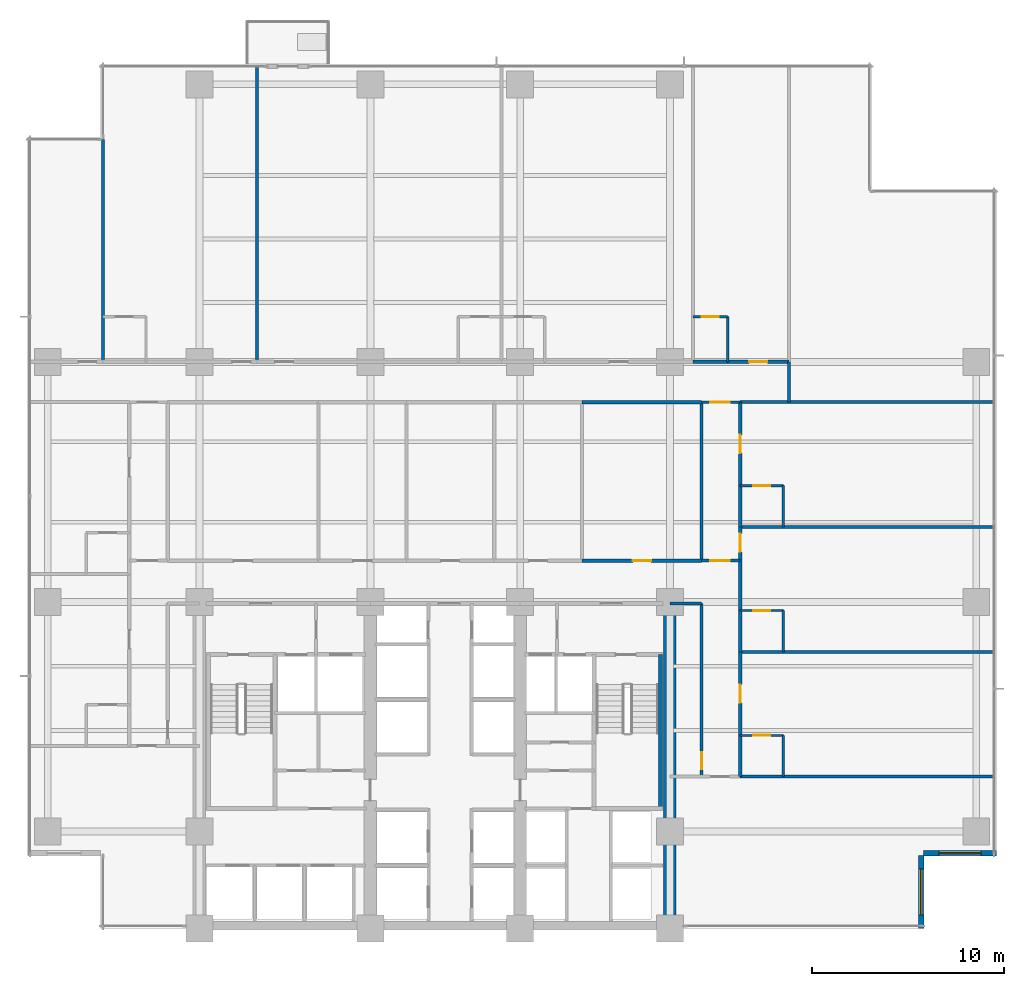
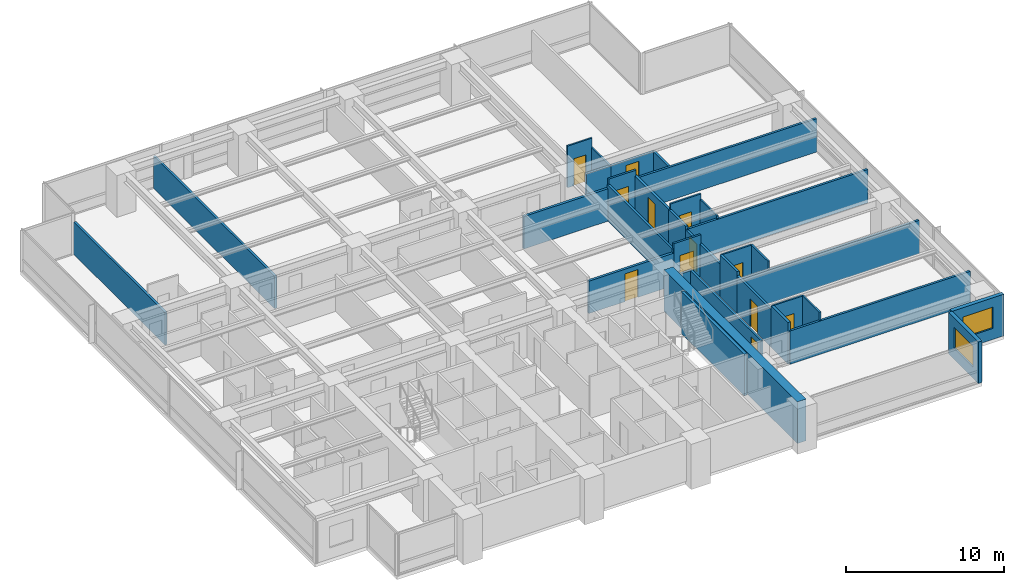
# One storey, part 10 of 16: 34 walls, 12 doors, 2 windows, 14 openings.
"""IFC4 building model written with IfcOpenShell, lengths in metres."""

from ifc_helpers import new_model, si_unit, direction, frame, frame_2d, origin, place, context, subcontext, project, spatial, rectangle, extrude, material, layer, layer_set, type_object, element, fill, save


model = new_model("IFC4")

# Units and contexts
model_context = context("Model", 3, precision=1e-05, world=origin(), true_north=direction((0.0, 1.0)))
body_context = subcontext(model_context, "Body", "Model", "MODEL_VIEW")
ifc_project = project(units=[si_unit("LENGTHUNIT", "METRE"), si_unit("AREAUNIT", "SQUARE_METRE"), si_unit("VOLUMEUNIT", "CUBIC_METRE"), si_unit("PLANEANGLEUNIT", "RADIAN"), si_unit("MASSUNIT", "GRAM", prefix="KILO")], contexts=[model_context])

# Site, building, storey
site_placement = place(None, origin())
site = spatial("IfcSite", under=ifc_project, at=site_placement, CompositionType="ELEMENT")
building_placement = place(site_placement, origin())
building = spatial("IfcBuilding", under=site, at=building_placement, Name="Qalmaran Belvedere Hotel", CompositionType="ELEMENT")
storey_placement = place(building_placement, frame((0.0, 0.0, 43.89990234375)))
storey = spatial("IfcBuildingStorey", under=building, at=storey_placement, Name="L10", CompositionType="ELEMENT", Elevation=43.89990234375)

# Wall
ifc_material_1 = material(Name="Concrete C60/75", Category="concrete")
ifc_layer_1 = layer(ifc_material_1, 0.64990234375, Name="Concrete C60/75")
ifc_layer_set_1 = layer_set([ifc_layer_1], Name="Concrete C60/75")
wall_type_1 = type_object("IfcWallType", Name="WL-CORE-650-C60", PredefinedType="SHEAR", material=ifc_layer_set_1)
wall_1_placement = place(storey_placement, frame((44.800048828125, 3.5, 0.0), z_axis=(0.0, 0.0, 1.0), x_axis=(0.0, 1.0, 0.0)))
element("IfcWall", 1, at=wall_1_placement, inside=storey, type_object=wall_type_1, Name="L10 East Core Shear Wall", PredefinedType="SHEAR", context=body_context, shape_type="SweptSolid", body=[
    extrude(rectangle(XDim=16.89990234375, YDim=0.64990234375, at=frame_2d((8.449951171875, 0.0))), origin(), (0.0, 0.0, 1.0), 3.22021484375),
])

# Wall, opening, window
ifc_material_2 = material(Name="Anodised Bronze Cladding")
ifc_layer_2 = layer(ifc_material_2, 0.280029296875, Name="Anodised Bronze Cladding")
ifc_layer_set_2 = layer_set([ifc_layer_2], Name="Anodised Bronze Cladding")
wall_type_2 = type_object("IfcWallType", Name="WL-EXT-BRNZ-280", PredefinedType="SOLIDWALL", material=ifc_layer_set_2)
wall_2_placement = place(storey_placement, frame((57.8798828125, 3.5, 0.0), z_axis=(0.0, 0.0, 1.0), x_axis=(0.0, 1.0, 0.0)))
wall_2 = element("IfcWall", 2, at=wall_2_placement, inside=storey, type_object=wall_type_2, Name="L10 Corner Notch Wall 1", PredefinedType="SOLIDWALL", context=body_context, shape_type="SweptSolid", body=[
    extrude(rectangle(XDim=3.800048828125, YDim=0.280029296875, at=frame_2d((1.89990234375, 0.0))), origin(), (0.0, 0.0, 1.0), 3.22021484375),
])
opening_1_placement = place(wall_2_placement, frame((0.699951171875, 0.0, 0.85009765625)))
opening_1 = element("IfcOpeningElement", 3, at=opening_1_placement, cuts=wall_2, Name="Opening W-N24", PredefinedType="OPENING", context=body_context, shape_type="SweptSolid", body=[
    extrude(rectangle(XDim=2.39990234375, YDim=1.64990234375, at=frame_2d((1.199951171875, 0.824951171875))), frame((0.0, 0.14990234375, 0.0), z_axis=(0.0, -1.0, 0.0), x_axis=(1.0, 0.0, 0.0)), (0.0, 0.0, 1.0), 0.300048828125),
])
ifc_material_3 = material(Name="Solar-Control Double Glazing", Category="glass")
window_type_1 = type_object("IfcWindowType", Name="WN-NTC-2400X1650", PartitioningType="SINGLE_PANEL", PredefinedType="WINDOW", material=ifc_material_3)
window_1_placement = place(opening_1_placement, origin())
window_1 = element("IfcWindow", 4, at=window_1_placement, inside=storey, type_object=window_type_1, Name="L10 Corner Notch Window 1", OverallHeight=1.64990234375, OverallWidth=2.39990234375, PartitioningType="SINGLE_PANEL", PredefinedType="WINDOW", context=body_context, shape_type="SweptSolid", body=[
    extrude(rectangle(XDim=2.39990234375, YDim=1.64990234375, at=frame_2d((1.199951171875, 0.824951171875))), frame((0.0, 0.030029296875, 0.0), z_axis=(0.0, -1.0, 0.0), x_axis=(1.0, 0.0, 0.0)), (0.0, 0.0, 1.0), 0.06005859375),
])
fill(opening_1, window_1)

wall_3_placement = place(storey_placement, frame((58.0, 7.419921875, 0.0), z_axis=(0.0, 0.0, 1.0), x_axis=(1.0, 0.0, 0.0)))
wall_3 = element("IfcWall", 5, at=wall_3_placement, inside=storey, type_object=wall_type_2, Name="L10 Corner Notch Wall 2", PredefinedType="SOLIDWALL", context=body_context, shape_type="SweptSolid", body=[
    extrude(rectangle(XDim=3.800048828125, YDim=0.280029296875, at=frame_2d((1.89990234375, 0.0))), origin(), (0.0, 0.0, 1.0), 3.22021484375),
])
opening_2_placement = place(wall_3_placement, frame((0.800048828125, 0.0, 0.85009765625)))
opening_2 = element("IfcOpeningElement", 6, at=opening_2_placement, cuts=wall_3, Name="Opening W-N22", PredefinedType="OPENING", context=body_context, shape_type="SweptSolid", body=[
    extrude(rectangle(XDim=2.199951171875, YDim=1.64990234375, at=frame_2d((1.10009765625, 0.824951171875))), frame((0.0, 0.14990234375, 0.0), z_axis=(0.0, -1.0, 0.0), x_axis=(1.0, 0.0, 0.0)), (0.0, 0.0, 1.0), 0.300048828125),
])
window_type_2 = type_object("IfcWindowType", Name="WN-NTC-2200X1650", PartitioningType="SINGLE_PANEL", PredefinedType="WINDOW", material=ifc_material_3)
window_2_placement = place(opening_2_placement, origin())
window_2 = element("IfcWindow", 7, at=window_2_placement, inside=storey, type_object=window_type_2, Name="L10 Corner Notch Window 2", OverallHeight=1.64990234375, OverallWidth=2.199951171875, PartitioningType="SINGLE_PANEL", PredefinedType="WINDOW", context=body_context, shape_type="SweptSolid", body=[
    extrude(rectangle(XDim=2.199951171875, YDim=1.64990234375, at=frame_2d((1.10009765625, 0.824951171875))), frame((0.0, 0.030029296875, 0.0), z_axis=(0.0, -1.0, 0.0), x_axis=(1.0, 0.0, 0.0)), (0.0, 0.0, 1.0), 0.06005859375),
])
fill(opening_2, window_2)

# Wall, opening, door
ifc_material_4 = material(Name="Moisture-Resistant Gypsum")
ifc_layer_3 = layer(ifc_material_4, 0.1201171875, Name="Moisture-Resistant Gypsum")
ifc_layer_set_3 = layer_set([ifc_layer_3], Name="Moisture-Resistant Gypsum")
wall_type_3 = type_object("IfcWallType", Name="WL-INT-120-BATH", PredefinedType="PARTITIONING", material=ifc_layer_set_3)
wall_4_placement = place(storey_placement, frame((46.000732421875, 35.35009765625, 0.0), z_axis=(0.0, 0.0, 1.0), x_axis=(1.0, 0.0, 0.0)))
wall_4 = element("IfcWall", 8, at=wall_4_placement, inside=storey, type_object=wall_type_3, Name="L10 Partition WL-L10-NBN03", PredefinedType="PARTITIONING", context=body_context, shape_type="SweptSolid", body=[
    extrude(rectangle(XDim=1.800048828125, YDim=0.1201171875, at=frame_2d((0.89990234375, 0.0))), origin(), (0.0, 0.0, 1.0), 3.22021484375),
])
opening_3_placement = place(wall_4_placement, frame((1.33984375, 0.0, 0.0), z_axis=(0.0, 0.0, 1.0), x_axis=(-1.0, 0.0, 0.0)))
opening_3 = element("IfcOpeningElement", 9, at=opening_3_placement, cuts=wall_4, Name="Opening D-BATH", PredefinedType="OPENING", context=body_context, shape_type="SweptSolid", body=[
    extrude(rectangle(XDim=0.8798828125, YDim=2.080078125, at=frame_2d((0.43994140625, 1.0400390625))), frame((0.0, 0.070068359375, 0.0), z_axis=(0.0, -1.0, 0.0), x_axis=(1.0, 0.0, 0.0)), (0.0, 0.0, 1.0), 0.14013671875),
])
ifc_material_5 = material(Name="Engineered Oak Veneer")
door_type_1 = type_object("IfcDoorType", Name="DR-INT-BATH-880X2080", OperationType="NOTDEFINED", PredefinedType="DOOR", material=ifc_material_5)
door_1_placement = place(opening_3_placement, origin())
door_1 = element("IfcDoor", 10, at=door_1_placement, inside=storey, type_object=door_type_1, Name="L10 Ensuite Bathroom Door N04", OperationType="SINGLE_SWING_LEFT", OverallHeight=2.080078125, OverallWidth=0.8798828125, PredefinedType="DOOR", context=body_context, shape_type="SweptSolid", body=[
    extrude(rectangle(XDim=0.8798828125, YDim=2.080078125, at=frame_2d((0.43994140625, 1.0400390625))), frame((0.0, 0.02490234375, 0.0), z_axis=(0.0, -1.0, 0.0), x_axis=(1.0, 0.0, 0.0)), (0.0, 0.0, 1.0), 0.050048828125),
])
fill(opening_3, door_1)

# Wall
wall_5_placement = place(storey_placement, frame((47.80078125, 33.0, 0.0), z_axis=(0.0, 0.0, 1.0), x_axis=(0.0, 1.0, 0.0)))
element("IfcWall", 11, at=wall_5_placement, inside=storey, type_object=wall_type_3, Name="L10 Partition WL-L10-NBS03", PredefinedType="PARTITIONING", context=body_context, shape_type="SweptSolid", body=[
    extrude(rectangle(XDim=2.35009765625, YDim=0.1201171875, at=frame_2d((1.175048828125, 0.0))), origin(), (0.0, 0.0, 1.0), 2.510009765625),
])

# Wall, opening, door
wall_6_placement = place(storey_placement, frame((48.449951171875, 13.550048828125, 0.0), z_axis=(0.0, 0.0, 1.0), x_axis=(1.0, 0.0, 0.0)))
wall_6 = element("IfcWall", 12, at=wall_6_placement, inside=storey, type_object=wall_type_3, Name="L10 Partition WL-L10-EBN00", PredefinedType="PARTITIONING", context=body_context, shape_type="SweptSolid", body=[
    extrude(rectangle(XDim=2.25, YDim=0.1201171875, at=frame_2d((1.125, 0.0))), origin(), (0.0, 0.0, 1.0), 3.22021484375),
])
opening_4_placement = place(wall_6_placement, frame((1.56494140625, 0.0, 0.0), z_axis=(0.0, 0.0, 1.0), x_axis=(-1.0, 0.0, 0.0)))
opening_4 = element("IfcOpeningElement", 13, at=opening_4_placement, cuts=wall_6, Name="Opening D-BATH", PredefinedType="OPENING", context=body_context, shape_type="SweptSolid", body=[
    extrude(rectangle(XDim=0.8798828125, YDim=2.080078125, at=frame_2d((0.43994140625, 1.0400390625))), frame((0.0, 0.070068359375, 0.0), z_axis=(0.0, -1.0, 0.0), x_axis=(1.0, 0.0, 0.0)), (0.0, 0.0, 1.0), 0.14013671875),
])
door_2_placement = place(opening_4_placement, origin())
door_2 = element("IfcDoor", 14, at=door_2_placement, inside=storey, type_object=door_type_1, Name="L10 E Ensuite Door 01", OperationType="SINGLE_SWING_LEFT", OverallHeight=2.080078125, OverallWidth=0.8798828125, PredefinedType="DOOR", context=body_context, shape_type="SweptSolid", body=[
    extrude(rectangle(XDim=0.8798828125, YDim=2.080078125, at=frame_2d((0.43994140625, 1.0400390625))), frame((0.0, 0.02490234375, 0.0), z_axis=(0.0, -1.0, 0.0), x_axis=(1.0, 0.0, 0.0)), (0.0, 0.0, 1.0), 0.050048828125),
])
fill(opening_4, door_2)

# Wall
wall_7_placement = place(storey_placement, frame((50.699951171875, 11.39990234375, 0.0), z_axis=(0.0, 0.0, 1.0), x_axis=(0.0, 1.0, 0.0)))
element("IfcWall", 15, at=wall_7_placement, inside=storey, type_object=wall_type_3, Name="L10 Partition WL-L10-EBS00", PredefinedType="PARTITIONING", context=body_context, shape_type="SweptSolid", body=[
    extrude(rectangle(XDim=2.150146484375, YDim=0.1201171875, at=frame_2d((1.0751953125, 0.0))), origin(), (0.0, 0.0, 1.0), 3.22021484375),
])

# Wall, opening, door
wall_8_placement = place(storey_placement, frame((48.449951171875, 20.050048828125, 0.0), z_axis=(0.0, 0.0, 1.0), x_axis=(1.0, 0.0, 0.0)))
wall_8 = element("IfcWall", 16, at=wall_8_placement, inside=storey, type_object=wall_type_3, Name="L10 Partition WL-L10-EBN01", PredefinedType="PARTITIONING", context=body_context, shape_type="SweptSolid", body=[
    extrude(rectangle(XDim=2.25, YDim=0.1201171875, at=frame_2d((1.125, 0.0))), origin(), (0.0, 0.0, 1.0), 3.22021484375),
])
opening_5_placement = place(wall_8_placement, frame((1.56494140625, 0.0, 0.0), z_axis=(0.0, 0.0, 1.0), x_axis=(-1.0, 0.0, 0.0)))
opening_5 = element("IfcOpeningElement", 17, at=opening_5_placement, cuts=wall_8, Name="Opening D-BATH", PredefinedType="OPENING", context=body_context, shape_type="SweptSolid", body=[
    extrude(rectangle(XDim=0.8798828125, YDim=2.080078125, at=frame_2d((0.43994140625, 1.0400390625))), frame((0.0, 0.070068359375, 0.0), z_axis=(0.0, -1.0, 0.0), x_axis=(1.0, 0.0, 0.0)), (0.0, 0.0, 1.0), 0.14013671875),
])
door_3_placement = place(opening_5_placement, origin())
door_3 = element("IfcDoor", 18, at=door_3_placement, inside=storey, type_object=door_type_1, Name="L10 E Ensuite Door 02", OperationType="SINGLE_SWING_LEFT", OverallHeight=2.080078125, OverallWidth=0.8798828125, PredefinedType="DOOR", context=body_context, shape_type="SweptSolid", body=[
    extrude(rectangle(XDim=0.8798828125, YDim=2.080078125, at=frame_2d((0.43994140625, 1.0400390625))), frame((0.0, 0.02490234375, 0.0), z_axis=(0.0, -1.0, 0.0), x_axis=(1.0, 0.0, 0.0)), (0.0, 0.0, 1.0), 0.050048828125),
])
fill(opening_5, door_3)

# Wall
wall_9_placement = place(storey_placement, frame((50.699951171875, 17.89990234375, 0.0), z_axis=(0.0, 0.0, 1.0), x_axis=(0.0, 1.0, 0.0)))
element("IfcWall", 19, at=wall_9_placement, inside=storey, type_object=wall_type_3, Name="L10 Partition WL-L10-EBS01", PredefinedType="PARTITIONING", context=body_context, shape_type="SweptSolid", body=[
    extrude(rectangle(XDim=2.150146484375, YDim=0.1201171875, at=frame_2d((1.0751953125, 0.0))), origin(), (0.0, 0.0, 1.0), 3.22021484375),
])

# Wall, opening, door
wall_10_placement = place(storey_placement, frame((48.449951171875, 26.550048828125, 0.0), z_axis=(0.0, 0.0, 1.0), x_axis=(1.0, 0.0, 0.0)))
wall_10 = element("IfcWall", 20, at=wall_10_placement, inside=storey, type_object=wall_type_3, Name="L10 Partition WL-L10-EBN02", PredefinedType="PARTITIONING", context=body_context, shape_type="SweptSolid", body=[
    extrude(rectangle(XDim=2.25, YDim=0.1201171875, at=frame_2d((1.125, 0.0))), origin(), (0.0, 0.0, 1.0), 3.22021484375),
])
opening_6_placement = place(wall_10_placement, frame((1.56494140625, 0.0, 0.0), z_axis=(0.0, 0.0, 1.0), x_axis=(-1.0, 0.0, 0.0)))
opening_6 = element("IfcOpeningElement", 21, at=opening_6_placement, cuts=wall_10, Name="Opening D-BATH", PredefinedType="OPENING", context=body_context, shape_type="SweptSolid", body=[
    extrude(rectangle(XDim=0.8798828125, YDim=2.080078125, at=frame_2d((0.43994140625, 1.0400390625))), frame((0.0, 0.070068359375, 0.0), z_axis=(0.0, -1.0, 0.0), x_axis=(1.0, 0.0, 0.0)), (0.0, 0.0, 1.0), 0.14013671875),
])
door_4_placement = place(opening_6_placement, origin())
door_4 = element("IfcDoor", 22, at=door_4_placement, inside=storey, type_object=door_type_1, Name="L10 E Ensuite Door 03", OperationType="SINGLE_SWING_LEFT", OverallHeight=2.080078125, OverallWidth=0.8798828125, PredefinedType="DOOR", context=body_context, shape_type="SweptSolid", body=[
    extrude(rectangle(XDim=0.8798828125, YDim=2.080078125, at=frame_2d((0.43994140625, 1.0400390625))), frame((0.0, 0.02490234375, 0.0), z_axis=(0.0, -1.0, 0.0), x_axis=(1.0, 0.0, 0.0)), (0.0, 0.0, 1.0), 0.050048828125),
])
fill(opening_6, door_4)

# Wall
wall_11_placement = place(storey_placement, frame((50.699951171875, 24.39990234375, 0.0), z_axis=(0.0, 0.0, 1.0), x_axis=(0.0, 1.0, 0.0)))
element("IfcWall", 23, at=wall_11_placement, inside=storey, type_object=wall_type_3, Name="L10 Partition WL-L10-EBS02", PredefinedType="PARTITIONING", context=body_context, shape_type="SweptSolid", body=[
    extrude(rectangle(XDim=2.150146484375, YDim=0.1201171875, at=frame_2d((1.0751953125, 0.0))), origin(), (0.0, 0.0, 1.0), 2.7880859375),
])

# Wall, opening, door
ifc_material_6 = material(Name="Gypsum Stud Partition")
ifc_layer_4 = layer(ifc_material_6, 0.14990234375, Name="Gypsum Stud Partition")
ifc_layer_set_4 = layer_set([ifc_layer_4], Name="Gypsum Stud Partition")
wall_type_4 = type_object("IfcWallType", Name="WL-INT-150-EI60", PredefinedType="PARTITIONING", material=ifc_layer_set_4)
wall_12_placement = place(storey_placement, frame((46.449951171875, 22.64990234375, 0.0), z_axis=(0.0, 0.0, 1.0), x_axis=(1.0, 0.0, 0.0)))
wall_12 = element("IfcWall", 24, at=wall_12_placement, inside=storey, type_object=wall_type_4, Name="L10 Partition WL-L10-XCE1", PredefinedType="PARTITIONING", context=body_context, shape_type="SweptSolid", body=[
    extrude(rectangle(XDim=2.0, YDim=0.14990234375, at=frame_2d((1.0, 0.0))), origin(), (0.0, 0.0, 1.0), 3.22021484375),
])
opening_7_placement = place(wall_12_placement, frame((0.449951171875, 0.0, 0.0)))
opening_7 = element("IfcOpeningElement", 25, at=opening_7_placement, cuts=wall_12, Name="Opening FD90B", PredefinedType="OPENING", context=body_context, shape_type="SweptSolid", body=[
    extrude(rectangle(XDim=1.0, YDim=2.14990234375, at=frame_2d((0.5, 1.074951171875))), frame((0.0, 0.0849609375, 0.0), z_axis=(0.0, -1.0, 0.0), x_axis=(1.0, 0.0, 0.0)), (0.0, 0.0, 1.0), 0.169921875),
])
ifc_material_7 = material(Name="Steel S355JR", Category="steel")
door_type_2 = type_object("IfcDoorType", Name="DR-FD90B-1000X2150", OperationType="NOTDEFINED", PredefinedType="DOOR", material=ifc_material_7)
door_5_placement = place(opening_7_placement, origin())
door_5 = element("IfcDoor", 26, at=door_5_placement, inside=storey, type_object=door_type_2, Name="L10 East Corridor Smoke Door S", OperationType="SINGLE_SWING_RIGHT", OverallHeight=2.14990234375, OverallWidth=1.0, PredefinedType="DOOR", context=body_context, shape_type="SweptSolid", body=[
    extrude(rectangle(XDim=1.0, YDim=2.14990234375, at=frame_2d((0.5, 1.074951171875))), frame((0.0, 0.02490234375, 0.0), z_axis=(0.0, -1.0, 0.0), x_axis=(1.0, 0.0, 0.0)), (0.0, 0.0, 1.0), 0.050048828125),
])
fill(opening_7, door_5)

wall_13_placement = place(storey_placement, frame((46.449951171875, 30.89990234375, 0.0), z_axis=(0.0, 0.0, 1.0), x_axis=(1.0, 0.0, 0.0)))
wall_13 = element("IfcWall", 27, at=wall_13_placement, inside=storey, type_object=wall_type_4, Name="L10 Partition WL-L10-XCE2", PredefinedType="PARTITIONING", context=body_context, shape_type="SweptSolid", body=[
    extrude(rectangle(XDim=2.0, YDim=0.14990234375, at=frame_2d((1.0, 0.0))), origin(), (0.0, 0.0, 1.0), 3.22021484375),
])
opening_8_placement = place(wall_13_placement, frame((0.449951171875, 0.0, 0.0)))
opening_8 = element("IfcOpeningElement", 28, at=opening_8_placement, cuts=wall_13, Name="Opening FD90B", PredefinedType="OPENING", context=body_context, shape_type="SweptSolid", body=[
    extrude(rectangle(XDim=1.0, YDim=2.14990234375, at=frame_2d((0.5, 1.074951171875))), frame((0.0, 0.0849609375, 0.0), z_axis=(0.0, -1.0, 0.0), x_axis=(1.0, 0.0, 0.0)), (0.0, 0.0, 1.0), 0.169921875),
])
door_6_placement = place(opening_8_placement, origin())
door_6 = element("IfcDoor", 29, at=door_6_placement, inside=storey, type_object=door_type_2, Name="L10 East Corridor Smoke Door N", OperationType="SINGLE_SWING_LEFT", OverallHeight=2.14990234375, OverallWidth=1.0, PredefinedType="DOOR", context=body_context, shape_type="SweptSolid", body=[
    extrude(rectangle(XDim=1.0, YDim=2.14990234375, at=frame_2d((0.5, 1.074951171875))), frame((0.0, 0.02490234375, 0.0), z_axis=(0.0, -1.0, 0.0), x_axis=(1.0, 0.0, 0.0)), (0.0, 0.0, 1.0), 0.050048828125),
])
fill(opening_8, door_6)

ifc_layer_5 = layer(ifc_material_6, 0.159912109375, Name="Gypsum Stud Partition")
ifc_layer_set_5 = layer_set([ifc_layer_5], Name="Gypsum Stud Partition")
wall_type_5 = type_object("IfcWallType", Name="WL-INT-160-EI60", PredefinedType="PARTITIONING", material=ifc_layer_set_5)
wall_14_placement = place(storey_placement, frame((46.449951171875, 11.39990234375, 0.0), z_axis=(0.0, 0.0, 1.0), x_axis=(0.0, 1.0, 0.0)))
wall_14 = element("IfcWall", 30, at=wall_14_placement, inside=storey, type_object=wall_type_5, Name="L10 Partition WL-L10-ECL", PredefinedType="PARTITIONING", context=body_context, shape_type="SweptSolid", body=[
    extrude(rectangle(XDim=9.02001953125, YDim=0.159912109375, at=frame_2d((4.510009765625, 0.0))), origin(), (0.0, 0.0, 1.0), 2.510009765625),
])
opening_9_placement = place(wall_14_placement, frame((0.39990234375, 0.0, 0.0)))
opening_9 = element("IfcOpeningElement", 31, at=opening_9_placement, cuts=wall_14, Name="Opening FD60B", PredefinedType="OPENING", context=body_context, shape_type="SweptSolid", body=[
    extrude(rectangle(XDim=0.8798828125, YDim=2.080078125, at=frame_2d((0.43994140625, 1.0400390625))), frame((0.0, 0.08984375, 0.0), z_axis=(0.0, -1.0, 0.0), x_axis=(1.0, 0.0, 0.0)), (0.0, 0.0, 1.0), 0.179931640625),
])
door_type_3 = type_object("IfcDoorType", Name="DR-FD60B-880X2080", OperationType="NOTDEFINED", PredefinedType="DOOR", material=ifc_material_7)
door_7_placement = place(opening_9_placement, origin())
door_7 = element("IfcDoor", 32, at=door_7_placement, inside=storey, type_object=door_type_3, Name="L10 East Closet Door", OperationType="SINGLE_SWING_LEFT", OverallHeight=2.080078125, OverallWidth=0.8798828125, PredefinedType="DOOR", context=body_context, shape_type="SweptSolid", body=[
    extrude(rectangle(XDim=0.8798828125, YDim=2.080078125, at=frame_2d((0.43994140625, 1.0400390625))), frame((0.0, 0.02490234375, 0.0), z_axis=(0.0, -1.0, 0.0), x_axis=(1.0, 0.0, 0.0)), (0.0, 0.0, 1.0), 0.050048828125),
])
fill(opening_9, door_7)

# Walls
wall_15_placement = place(storey_placement, frame((44.800048828125, 20.419921875, 0.0), z_axis=(0.0, 0.0, 1.0), x_axis=(1.0, 0.0, 0.0)))
element("IfcWall", 33, at=wall_15_placement, inside=storey, type_object=wall_type_5, Name="L10 Partition WL-L10-ECLN", PredefinedType="PARTITIONING", context=body_context, shape_type="SweptSolid", body=[
    extrude(rectangle(XDim=1.64990234375, YDim=0.159912109375, at=frame_2d((0.824951171875, 0.0))), origin(), (0.0, 0.0, 1.0), 2.510009765625),
])
wall_16_placement = place(storey_placement, frame((51.0, 30.89990234375, 0.0), z_axis=(0.0, 0.0, 1.0), x_axis=(0.0, 1.0, 0.0)))
element("IfcWall", 34, at=wall_16_placement, inside=storey, type_object=wall_type_5, Name="L10 Partition WL-L10-NCGE", PredefinedType="PARTITIONING", context=body_context, shape_type="SweptSolid", body=[
    extrude(rectangle(XDim=2.10009765625, YDim=0.159912109375, at=frame_2d((1.050048828125, 0.0))), origin(), (0.0, 0.0, 1.0), 2.510009765625),
])
wall_17_placement = place(storey_placement, frame((46.449951171875, 22.64990234375, 0.0), z_axis=(0.0, 0.0, 1.0), x_axis=(0.0, 1.0, 0.0)))
element("IfcWall", 35, at=wall_17_placement, inside=storey, type_object=wall_type_5, Name="L10 Partition WL-L10-MIDVR5", PredefinedType="PARTITIONING", context=body_context, shape_type="SweptSolid", body=[
    extrude(rectangle(XDim=8.25, YDim=0.159912109375, at=frame_2d((4.125, 0.0))), origin(), (0.0, 0.0, 1.0), 2.7880859375),
])
wall_18_placement = place(storey_placement, frame((15.27001953125, 33.0, 0.0), z_axis=(0.0, 0.0, 1.0), x_axis=(0.0, 1.0, 0.0)))
element("IfcWall", 36, at=wall_18_placement, inside=storey, type_object=wall_type_5, Name="L10 Partition WL-L10-NUL", PredefinedType="PARTITIONING", context=body_context, shape_type="SweptSolid", body=[
    extrude(rectangle(XDim=11.580078125, YDim=0.159912109375, at=frame_2d((5.7900390625, 0.0))), origin(), (0.0, 0.0, 1.0), 2.510009765625),
])
wall_19_placement = place(storey_placement, frame((23.300048828125, 33.0, 0.0), z_axis=(0.0, 0.0, 1.0), x_axis=(0.0, 1.0, 0.0)))
element("IfcWall", 37, at=wall_19_placement, inside=storey, type_object=wall_type_5, Name="L10 Partition WL-L10-NUR00", PredefinedType="PARTITIONING", context=body_context, shape_type="SweptSolid", body=[
    extrude(rectangle(XDim=15.3798828125, YDim=0.159912109375, at=frame_2d((7.68994140625, 0.0))), origin(), (0.0, 0.0, 1.0), 2.510009765625),
])
for number, where, z_axis, x_axis, name in (
    (38, (48.449951171875, 11.39990234375, 0.0), (0.0, 0.0, 1.0), (1.0, 0.0, 0.0), "L10 Partition WL-L10-EBOT"),
    (39, (48.449951171875, 17.89990234375, 0.0), (0.0, 0.0, 1.0), (1.0, 0.0, 0.0), "L10 Partition WL-L10-EU00"),
    (40, (48.449951171875, 24.39990234375, 0.0), (0.0, 0.0, 1.0), (1.0, 0.0, 0.0), "L10 Partition WL-L10-EU01"),
    (41, (48.449951171875, 30.89990234375, 0.0), (0.0, 0.0, 1.0), (1.0, 0.0, 0.0), "L10 Partition WL-L10-EU02"),
):
    element("IfcWall", number, at=place(storey_placement, frame(where, z_axis=z_axis, x_axis=x_axis)), inside=storey, type_object=wall_type_5, Name=name, PredefinedType="PARTITIONING", context=body_context, shape_type="SweptSolid", body=[
        extrude(rectangle(XDim=13.22998046875, YDim=0.159912109375, at=frame_2d((6.614990234375, 0.0))), origin(), (0.0, 0.0, 1.0), 2.5830078125),
    ])

# Wall, opening, door
ifc_layer_6 = layer(ifc_material_6, 0.179931640625, Name="Gypsum Stud Partition")
ifc_layer_set_6 = layer_set([ifc_layer_6], Name="Gypsum Stud Partition")
wall_type_6 = type_object("IfcWallType", Name="WL-INT-180-EI60", PredefinedType="PARTITIONING", material=ifc_layer_set_6)
wall_20_placement = place(storey_placement, frame((40.22509765625, 22.64990234375, 0.0), z_axis=(0.0, 0.0, 1.0), x_axis=(1.0, 0.0, 0.0)))
wall_20 = element("IfcWall", 42, at=wall_20_placement, inside=storey, type_object=wall_type_6, Name="L10 Partition WL-L10-MIDD5", PredefinedType="PARTITIONING", context=body_context, shape_type="SweptSolid", body=[
    extrude(rectangle(XDim=6.224853515625, YDim=0.179931640625, at=frame_2d((3.1123046875, 0.0))), origin(), (0.0, 0.0, 1.0), 2.510009765625),
])
opening_10_placement = place(wall_20_placement, frame((2.637451171875, 0.0, 0.0)))
opening_10 = element("IfcOpeningElement", 43, at=opening_10_placement, cuts=wall_20, Name="Opening FD60", PredefinedType="OPENING", context=body_context, shape_type="SweptSolid", body=[
    extrude(rectangle(XDim=0.949951171875, YDim=2.14990234375, at=frame_2d((0.47509765625, 1.074951171875))), frame((0.0, 0.10009765625, 0.0), z_axis=(0.0, -1.0, 0.0), x_axis=(1.0, 0.0, 0.0)), (0.0, 0.0, 1.0), 0.199951171875),
])
door_type_4 = type_object("IfcDoorType", Name="DR-FD60-950X2150", OperationType="NOTDEFINED", PredefinedType="DOOR", material=ifc_material_5)
door_8_placement = place(opening_10_placement, origin())
door_8 = element("IfcDoor", 44, at=door_8_placement, inside=storey, type_object=door_type_4, Name="L10 Tableware Store Door", OperationType="SINGLE_SWING_RIGHT", OverallHeight=2.14990234375, OverallWidth=0.949951171875, PredefinedType="DOOR", context=body_context, shape_type="SweptSolid", body=[
    extrude(rectangle(XDim=0.949951171875, YDim=2.14990234375, at=frame_2d((0.47509765625, 1.074951171875))), frame((0.0, 0.02490234375, 0.0), z_axis=(0.0, -1.0, 0.0), x_axis=(1.0, 0.0, 0.0)), (0.0, 0.0, 1.0), 0.050048828125),
])
fill(opening_10, door_8)

# Walls
wall_21_placement = place(storey_placement, frame((40.22509765625, 30.89990234375, 0.0), z_axis=(0.0, 0.0, 1.0), x_axis=(1.0, 0.0, 0.0)))
element("IfcWall", 45, at=wall_21_placement, inside=storey, type_object=wall_type_6, Name="L10 Partition WL-L10-MIDO5", PredefinedType="PARTITIONING", context=body_context, shape_type="SweptSolid", body=[
    extrude(rectangle(XDim=6.224853515625, YDim=0.179931640625, at=frame_2d((3.1123046875, 0.0))), origin(), (0.0, 0.0, 1.0), 2.510009765625),
])
wall_22_placement = place(storey_placement, frame((46.000732421875, 33.0, 0.0), z_axis=(0.0, 0.0, 1.0), x_axis=(1.0, 0.0, 0.0)))
element("IfcWall", 46, at=wall_22_placement, inside=storey, type_object=wall_type_6, Name="L10 Partition WL-L10-NBC03", PredefinedType="PARTITIONING", context=body_context, shape_type="SweptSolid", body=[
    extrude(rectangle(XDim=1.800048828125, YDim=0.179931640625, at=frame_2d((0.89990234375, 0.0))), origin(), (0.0, 0.0, 1.0), 2.510009765625),
])

# Wall, opening, door
wall_23_placement = place(storey_placement, frame((47.80078125, 33.0, 0.0), z_axis=(0.0, 0.0, 1.0), x_axis=(1.0, 0.0, 0.0)))
wall_23 = element("IfcWall", 47, at=wall_23_placement, inside=storey, type_object=wall_type_6, Name="L10 Partition WL-L10-NEC03", PredefinedType="PARTITIONING", context=body_context, shape_type="SweptSolid", body=[
    extrude(rectangle(XDim=3.19921875, YDim=0.179931640625, at=frame_2d((1.599609375, 0.0))), origin(), (0.0, 0.0, 1.0), 2.510009765625),
])
opening_11_placement = place(wall_23_placement, frame((1.124755859375, 0.0, 0.0)))
opening_11 = element("IfcOpeningElement", 48, at=opening_11_placement, cuts=wall_23, Name="Opening FD60", PredefinedType="OPENING", context=body_context, shape_type="SweptSolid", body=[
    extrude(rectangle(XDim=0.949951171875, YDim=2.14990234375, at=frame_2d((0.47509765625, 1.074951171875))), frame((0.0, 0.10009765625, 0.0), z_axis=(0.0, -1.0, 0.0), x_axis=(1.0, 0.0, 0.0)), (0.0, 0.0, 1.0), 0.199951171875),
])
door_9_placement = place(opening_11_placement, origin())
door_9 = element("IfcDoor", 49, at=door_9_placement, inside=storey, type_object=door_type_4, Name="L10 Guest Entrance Door N04", OperationType="SINGLE_SWING_RIGHT", OverallHeight=2.14990234375, OverallWidth=0.949951171875, PredefinedType="DOOR", context=body_context, shape_type="SweptSolid", body=[
    extrude(rectangle(XDim=0.949951171875, YDim=2.14990234375, at=frame_2d((0.47509765625, 1.074951171875))), frame((0.0, 0.02490234375, 0.0), z_axis=(0.0, -1.0, 0.0), x_axis=(1.0, 0.0, 0.0)), (0.0, 0.0, 1.0), 0.050048828125),
])
fill(opening_11, door_9)

# Wall
wall_24_placement = place(storey_placement, frame((48.449951171875, 11.39990234375, 0.0), z_axis=(0.0, 0.0, 1.0), x_axis=(0.0, 1.0, 0.0)))
element("IfcWall", 50, at=wall_24_placement, inside=storey, type_object=wall_type_6, Name="L10 Partition WL-L10-EBC00", PredefinedType="PARTITIONING", context=body_context, shape_type="SweptSolid", body=[
    extrude(rectangle(XDim=2.150146484375, YDim=0.179931640625, at=frame_2d((1.0751953125, 0.0))), origin(), (0.0, 0.0, 1.0), 3.22021484375),
])

# Wall, opening, door
wall_25_placement = place(storey_placement, frame((48.449951171875, 13.550048828125, 0.0), z_axis=(0.0, 0.0, 1.0), x_axis=(0.0, 1.0, 0.0)))
wall_25 = element("IfcWall", 51, at=wall_25_placement, inside=storey, type_object=wall_type_6, Name="L10 Partition WL-L10-EEC00", PredefinedType="PARTITIONING", context=body_context, shape_type="SweptSolid", body=[
    extrude(rectangle(XDim=4.349853515625, YDim=0.179931640625, at=frame_2d((2.1748046875, 0.0))), origin(), (0.0, 0.0, 1.0), 2.902099609375),
])
opening_12_placement = place(wall_25_placement, frame((2.64990234375, 0.0, 0.0), z_axis=(0.0, 0.0, 1.0), x_axis=(-1.0, 0.0, 0.0)))
opening_12 = element("IfcOpeningElement", 52, at=opening_12_placement, cuts=wall_25, Name="Opening FD60", PredefinedType="OPENING", context=body_context, shape_type="SweptSolid", body=[
    extrude(rectangle(XDim=0.949951171875, YDim=2.14990234375, at=frame_2d((0.47509765625, 1.074951171875))), frame((0.0, 0.10009765625, 0.0), z_axis=(0.0, -1.0, 0.0), x_axis=(1.0, 0.0, 0.0)), (0.0, 0.0, 1.0), 0.199951171875),
])
door_10_placement = place(opening_12_placement, origin())
door_10 = element("IfcDoor", 53, at=door_10_placement, inside=storey, type_object=door_type_4, Name="L10 E Wing Door 01", OperationType="SINGLE_SWING_RIGHT", OverallHeight=2.14990234375, OverallWidth=0.949951171875, PredefinedType="DOOR", context=body_context, shape_type="SweptSolid", body=[
    extrude(rectangle(XDim=0.949951171875, YDim=2.14990234375, at=frame_2d((0.47509765625, 1.074951171875))), frame((0.0, 0.02490234375, 0.0), z_axis=(0.0, -1.0, 0.0), x_axis=(1.0, 0.0, 0.0)), (0.0, 0.0, 1.0), 0.050048828125),
])
fill(opening_12, door_10)

# Wall
wall_26_placement = place(storey_placement, frame((48.449951171875, 17.89990234375, 0.0), z_axis=(0.0, 0.0, 1.0), x_axis=(0.0, 1.0, 0.0)))
element("IfcWall", 54, at=wall_26_placement, inside=storey, type_object=wall_type_6, Name="L10 Partition WL-L10-EBC01", PredefinedType="PARTITIONING", context=body_context, shape_type="SweptSolid", body=[
    extrude(rectangle(XDim=2.150146484375, YDim=0.179931640625, at=frame_2d((1.0751953125, 0.0))), origin(), (0.0, 0.0, 1.0), 3.22021484375),
])

# Wall, opening, door
wall_27_placement = place(storey_placement, frame((48.449951171875, 20.050048828125, 0.0), z_axis=(0.0, 0.0, 1.0), x_axis=(0.0, 1.0, 0.0)))
wall_27 = element("IfcWall", 55, at=wall_27_placement, inside=storey, type_object=wall_type_6, Name="L10 Partition WL-L10-EEC01", PredefinedType="PARTITIONING", context=body_context, shape_type="SweptSolid", body=[
    extrude(rectangle(XDim=4.349853515625, YDim=0.179931640625, at=frame_2d((2.1748046875, 0.0))), origin(), (0.0, 0.0, 1.0), 2.510009765625),
])
opening_13_placement = place(wall_27_placement, frame((4.011474609375, 0.0, 0.0), z_axis=(0.0, 0.0, 1.0), x_axis=(-1.0, 0.0, 0.0)))
opening_13 = element("IfcOpeningElement", 56, at=opening_13_placement, cuts=wall_27, Name="Opening FD60", PredefinedType="OPENING", context=body_context, shape_type="SweptSolid", body=[
    extrude(rectangle(XDim=0.949951171875, YDim=2.14990234375, at=frame_2d((0.47509765625, 1.074951171875))), frame((0.0, 0.10009765625, 0.0), z_axis=(0.0, -1.0, 0.0), x_axis=(1.0, 0.0, 0.0)), (0.0, 0.0, 1.0), 0.199951171875),
])
door_11_placement = place(opening_13_placement, origin())
door_11 = element("IfcDoor", 57, at=door_11_placement, inside=storey, type_object=door_type_4, Name="L10 E Wing Door 02", OperationType="SINGLE_SWING_RIGHT", OverallHeight=2.14990234375, OverallWidth=0.949951171875, PredefinedType="DOOR", context=body_context, shape_type="SweptSolid", body=[
    extrude(rectangle(XDim=0.949951171875, YDim=2.14990234375, at=frame_2d((0.47509765625, 1.074951171875))), frame((0.0, 0.02490234375, 0.0), z_axis=(0.0, -1.0, 0.0), x_axis=(1.0, 0.0, 0.0)), (0.0, 0.0, 1.0), 0.050048828125),
])
fill(opening_13, door_11)

# Wall
wall_28_placement = place(storey_placement, frame((48.449951171875, 24.39990234375, 0.0), z_axis=(0.0, 0.0, 1.0), x_axis=(0.0, 1.0, 0.0)))
element("IfcWall", 58, at=wall_28_placement, inside=storey, type_object=wall_type_6, Name="L10 Partition WL-L10-EBC02", PredefinedType="PARTITIONING", context=body_context, shape_type="SweptSolid", body=[
    extrude(rectangle(XDim=2.150146484375, YDim=0.179931640625, at=frame_2d((1.0751953125, 0.0))), origin(), (0.0, 0.0, 1.0), 2.7880859375),
])

# Wall, opening, door
wall_29_placement = place(storey_placement, frame((48.449951171875, 26.550048828125, 0.0), z_axis=(0.0, 0.0, 1.0), x_axis=(0.0, 1.0, 0.0)))
wall_29 = element("IfcWall", 59, at=wall_29_placement, inside=storey, type_object=wall_type_6, Name="L10 Partition WL-L10-EEC02", PredefinedType="PARTITIONING", context=body_context, shape_type="SweptSolid", body=[
    extrude(rectangle(XDim=4.349853515625, YDim=0.179931640625, at=frame_2d((2.1748046875, 0.0))), origin(), (0.0, 0.0, 1.0), 2.7880859375),
])
opening_14_placement = place(wall_29_placement, frame((2.64990234375, 0.0, 0.0), z_axis=(0.0, 0.0, 1.0), x_axis=(-1.0, 0.0, 0.0)))
opening_14 = element("IfcOpeningElement", 60, at=opening_14_placement, cuts=wall_29, Name="Opening FD60", PredefinedType="OPENING", context=body_context, shape_type="SweptSolid", body=[
    extrude(rectangle(XDim=0.949951171875, YDim=2.14990234375, at=frame_2d((0.47509765625, 1.074951171875))), frame((0.0, 0.10009765625, 0.0), z_axis=(0.0, -1.0, 0.0), x_axis=(1.0, 0.0, 0.0)), (0.0, 0.0, 1.0), 0.199951171875),
])
door_12_placement = place(opening_14_placement, origin())
door_12 = element("IfcDoor", 61, at=door_12_placement, inside=storey, type_object=door_type_4, Name="L10 E Wing Door 03", OperationType="SINGLE_SWING_RIGHT", OverallHeight=2.14990234375, OverallWidth=0.949951171875, PredefinedType="DOOR", context=body_context, shape_type="SweptSolid", body=[
    extrude(rectangle(XDim=0.949951171875, YDim=2.14990234375, at=frame_2d((0.47509765625, 1.074951171875))), frame((0.0, 0.02490234375, 0.0), z_axis=(0.0, -1.0, 0.0), x_axis=(1.0, 0.0, 0.0)), (0.0, 0.0, 1.0), 0.050048828125),
])
fill(opening_14, door_12)

# Wall
ifc_material_8 = material(Name="Concrete C50/60", Category="concrete")
ifc_layer_7 = layer(ifc_material_8, 0.2099609375, Name="Concrete C50/60")
ifc_layer_set_7 = layer_set([ifc_layer_7], Name="Concrete C50/60")
wall_type_7 = type_object("IfcWallType", Name="WL-STAIR-210-C50", PredefinedType="SHEAR", material=ifc_layer_set_7)
wall_30_placement = place(storey_placement, frame((44.304931640625, 9.7451171875, 0.0), z_axis=(0.0, 0.0, 1.0), x_axis=(0.0, 1.0, 0.0)))
element("IfcWall", 62, at=wall_30_placement, inside=storey, type_object=wall_type_7, Name="L10 Stair ST-2 East Bearing Wall", PredefinedType="SHEAR", context=body_context, shape_type="SweptSolid", body=[
    extrude(rectangle(XDim=8.009765625, YDim=0.2099609375, at=frame_2d((4.0048828125, 0.0))), origin(), (0.0, 0.0, 1.0), 3.22021484375),
])

save(model, "model.ifc")
